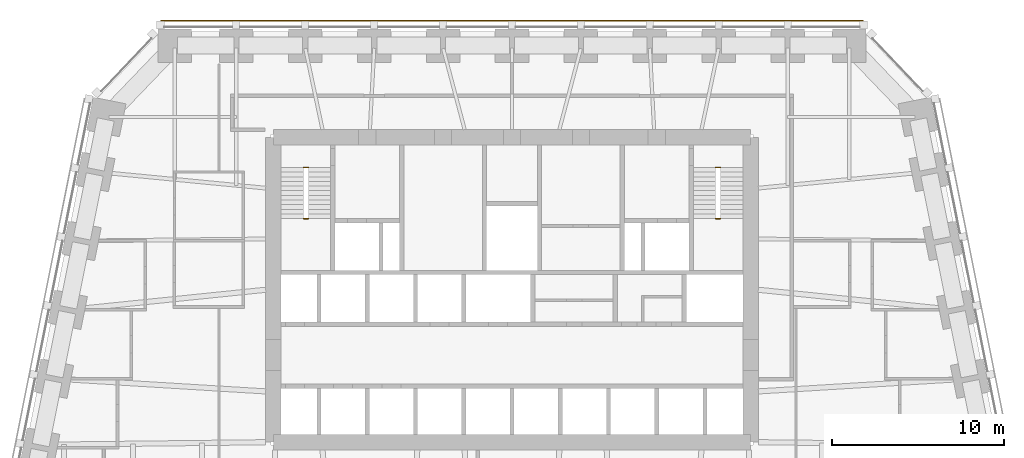
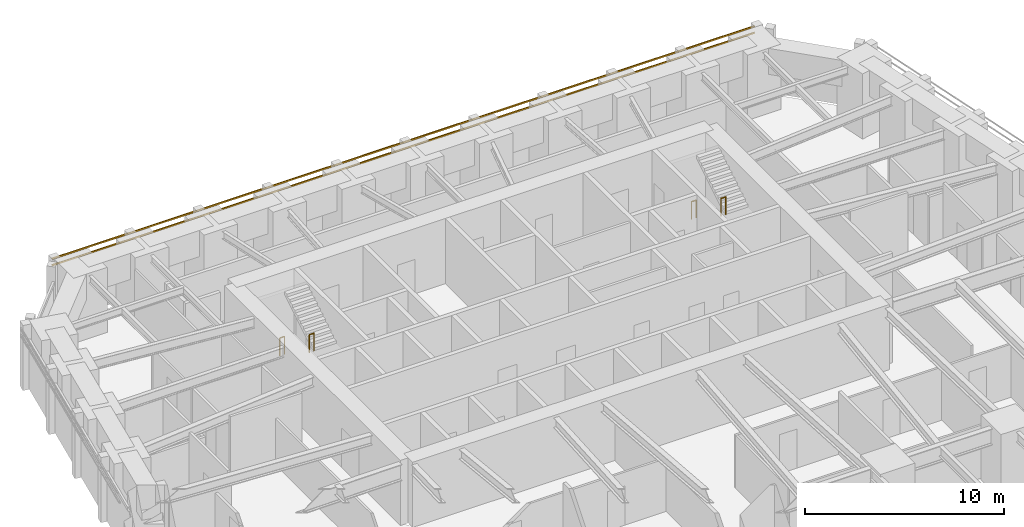
# One storey, part 10 of 10: 4 railings, 2 shading devices.
"""IFC4 building model written with IfcOpenShell, lengths in metres."""

from ifc_helpers import new_model, si_unit, direction, frame, origin, origin_2d, place, context, subcontext, project, spatial, rectangle, circle, extrude, material, material_profile, profile_set, type_object, element, save


model = new_model("IFC4")

# Units and contexts
model_context = context("Model", 3, precision=1e-05, world=origin(), true_north=direction((0.0, 1.0)))
body_context = subcontext(model_context, "Body", "Model", "MODEL_VIEW")
ifc_project = project(units=[si_unit("LENGTHUNIT", "METRE"), si_unit("AREAUNIT", "SQUARE_METRE"), si_unit("VOLUMEUNIT", "CUBIC_METRE"), si_unit("PLANEANGLEUNIT", "RADIAN"), si_unit("MASSUNIT", "GRAM", prefix="KILO")], contexts=[model_context])

# Site, building, storey
site_placement = place(None, origin())
site = spatial("IfcSite", under=ifc_project, at=site_placement, CompositionType="ELEMENT")
building_placement = place(site_placement, origin())
building = spatial("IfcBuilding", under=site, at=building_placement, Name="Isbrekke Arena Tower", CompositionType="ELEMENT")
storey_placement = place(building_placement, frame((0.0, 0.0, 64.0)))
storey = spatial("IfcBuildingStorey", under=building, at=storey_placement, Name="L13", CompositionType="ELEMENT", Elevation=64.0)

# Shading devices
ifc_material_1 = material(Name="Terracotta", Category="masonry")
ifc_material_profile = material_profile(ifc_material_1, rectangle(XDim=0.06005859375, YDim=0.06005859375, at=origin_2d()), Name="BAGUETTE 60X60")
ifc_profile_set = profile_set([ifc_material_profile], Name="Terracotta")
shading_device_type = type_object("IfcShadingDeviceType", Name="BG1 TERRACOTTA BAGUETTE 60 x 60", PredefinedType="USERDEFINED", material=ifc_profile_set)
for number, where, z_axis, x_axis, name in (
    (1, (20.39990234375, 30.6298828125, 3.280029296875), (-1.0, 0.0, 0.0), (0.0, -1.0, 0.0), "BG1 terracotta baguette N1 L13"),
    (2, (20.39990234375, 30.6298828125, 3.679931640625), (-1.0, 0.0, 0.0), (0.0, -1.0, 0.0), "BG1 terracotta baguette N2 L13"),
):
    element("IfcShadingDevice", number, at=place(storey_placement, frame(where, z_axis=z_axis, x_axis=x_axis)), inside=storey, type_object=shading_device_type, Name=name, ObjectType="TERRACOTTA BAGUETTE", PredefinedType="USERDEFINED", context=body_context, shape_type="SweptSolid", body=[
        extrude(rectangle(XDim=0.06005859375, YDim=0.06005859375, at=origin_2d()), origin(), (0.0, 0.0, 1.0), 40.7998046875),
    ])

# Railings
ifc_material_2 = material(Name="Steel stair guard, vertical bars, steel handrail", Category="steel")
railing_type = type_object("IfcRailingType", Name="GR3 STAIR WELL GUARD 1100", PredefinedType="GUARDRAIL", material=ifc_material_2)
for number, where, name in (
    (3, (-12.10009765625, 22.10009765625, 0.0), "GR3 stair well guard ST1 L13"),
    (4, (-12.10009765625, 19.1298828125, 2.0), "GR3 stair well guard ST1 L13"),
    (5, (11.824951171875, 22.10009765625, 0.0), "GR3 stair well guard ST2 L13"),
    (6, (11.824951171875, 19.1298828125, 2.0), "GR3 stair well guard ST2 L13"),
):
    element("IfcRailing", number, at=place(storey_placement, frame(where)), inside=storey, type_object=railing_type, Name=name, PredefinedType="GUARDRAIL", context=body_context, shape_type="SweptSolid", body=[
        extrude(circle(Radius=0.02392578125, at=origin_2d()), frame((0.0, 0.0, 1.076171875), z_axis=(1.0, 0.0, 0.0), x_axis=(0.0, 1.0, 0.0)), (0.0, 0.0, 1.0), 0.275146484375),
        extrude(circle(Radius=0.02099609375, at=origin_2d()), origin(), (0.0, 0.0, 1.0), 1.052001953125),
        extrude(circle(Radius=0.02099609375, at=origin_2d()), frame((0.275146484375, 0.0, 0.0)), (0.0, 0.0, 1.0), 1.052001953125),
    ])

save(model, "model.ifc")
